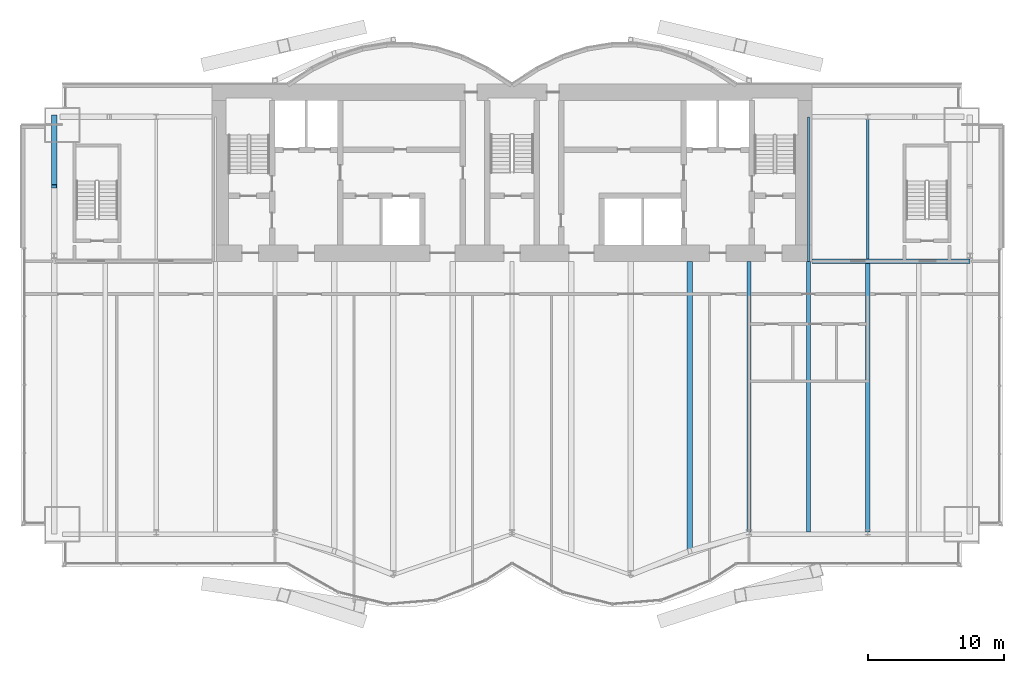
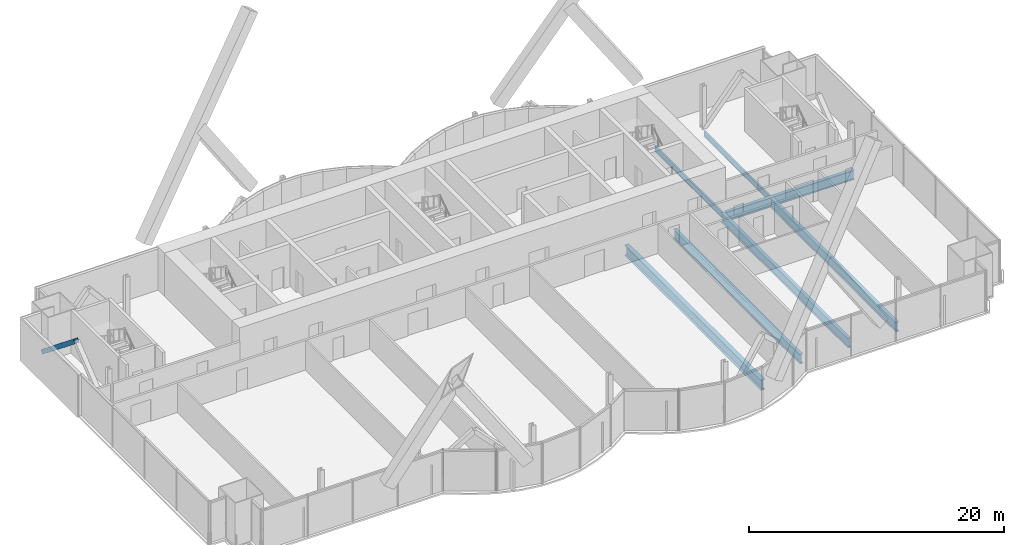
# One storey, part 11 of 23: 7 beams, 1 member.
"""IFC4 building model written with IfcOpenShell, lengths in metres."""

from ifc_helpers import new_model, si_unit, direction, frame, origin, origin_2d, place, context, subcontext, project, spatial, hollow_rectangle, i_section, extrude, material, material_profile, profile_set, type_object, element, save


model = new_model("IFC4")

# Units and contexts
model_context = context("Model", 3, precision=1e-05, world=origin(), true_north=direction((0.0, 1.0)))
body_context = subcontext(model_context, "Body", "Model", "MODEL_VIEW")
ifc_project = project(units=[si_unit("LENGTHUNIT", "METRE"), si_unit("AREAUNIT", "SQUARE_METRE"), si_unit("VOLUMEUNIT", "CUBIC_METRE"), si_unit("PLANEANGLEUNIT", "RADIAN"), si_unit("MASSUNIT", "GRAM", prefix="KILO")], contexts=[model_context])

# Site, building, storey
site_placement = place(None, origin())
site = spatial("IfcSite", under=ifc_project, at=site_placement, CompositionType="ELEMENT")
building_placement = place(site_placement, origin())
building = spatial("IfcBuilding", under=site, at=building_placement, Name="Bicima Exchange Tower", CompositionType="ELEMENT")
storey_placement = place(building_placement, frame((0.0, 0.0, 152.699951171875)))
storey = spatial("IfcBuildingStorey", under=building, at=storey_placement, Name="L33", CompositionType="ELEMENT", Elevation=152.699951171875)

# Beams
ifc_material_1 = material(Name="Steel ASTM A992 Gr 50", Category="steel")
ifc_material_profile_1 = material_profile(ifc_material_1, i_section(OverallWidth=0.3046875, OverallDepth=0.911865234375, WebThickness=0.015869140625, FlangeThickness=0.02392578125, at=origin_2d()))
ifc_profile_set_1 = profile_set([ifc_material_profile_1], Name="Steel ASTM A992 Gr 50")
beam_type_1 = type_object("IfcBeamType", Name="Core-line girder W36x150", PredefinedType="BEAM", material=ifc_profile_set_1)
beam_1_placement = place(storey_placement, frame((22.0, -13.0, -0.60595703125), z_axis=(1.0, 0.0, 0.0), x_axis=(0.0, 1.0, 0.0)))
element("IfcBeam", 1, at=beam_1_placement, inside=storey, type_object=beam_type_1, Name="Core-line girder", PredefinedType="BEAM", context=body_context, shape_type="SweptSolid", body=[
    extrude(i_section(OverallWidth=0.3046875, OverallDepth=0.911865234375, WebThickness=0.015869140625, FlangeThickness=0.02392578125, at=origin_2d()), origin(), (0.0, 0.0, 1.0), 11.60009765625),
])
ifc_material_profile_2 = material_profile(ifc_material_1, i_section(OverallWidth=0.165771484375, OverallDepth=0.5283203125, WebThickness=0.009765625, FlangeThickness=0.013671875, at=origin_2d()))
ifc_profile_set_2 = profile_set([ifc_material_profile_2], Name="Steel ASTM A992 Gr 50")
beam_type_2 = type_object("IfcBeamType", Name="Floor beam W21x50", PredefinedType="JOIST", material=ifc_profile_set_2)
beam_2_placement = place(storey_placement, frame((21.75, -2.39990234375, -0.4140625), z_axis=(0.0, -1.0, 0.0), x_axis=(1.0, 0.0, 0.0)))
element("IfcBeam", 2, at=beam_2_placement, inside=storey, type_object=beam_type_2, Name="Floor beam", PredefinedType="JOIST", context=body_context, shape_type="SweptSolid", body=[
    extrude(i_section(OverallWidth=0.165771484375, OverallDepth=0.5283203125, WebThickness=0.009765625, FlangeThickness=0.013671875, at=origin_2d()), origin(), (0.0, 0.0, 1.0), 10.60009765625),
])
beam_3_placement = place(storey_placement, frame((26.10009765625, -2.5625, -0.4140625), z_axis=(0.0, -1.0, 0.0), x_axis=(1.0, 0.0, 0.0)))
element("IfcBeam", 3, at=beam_3_placement, inside=storey, type_object=beam_type_2, Name="Floor beam", PredefinedType="JOIST", context=body_context, shape_type="SweptSolid", body=[
    extrude(i_section(OverallWidth=0.165771484375, OverallDepth=0.5283203125, WebThickness=0.009765625, FlangeThickness=0.013671875, at=origin_2d()), origin(), (0.0, 0.0, 1.0), 10.28515625),
])
ifc_material_profile_3 = material_profile(ifc_material_1, i_section(OverallWidth=0.3046875, OverallDepth=0.904296875, WebThickness=0.01513671875, FlangeThickness=0.02001953125, at=origin_2d()))
ifc_profile_set_3 = profile_set([ifc_material_profile_3], Name="Steel ASTM A992 Gr 50")
beam_type_3 = type_object("IfcBeamType", Name="Floor beam W36x135", PredefinedType="JOIST", material=ifc_profile_set_3)
beam_4_placement = place(storey_placement, frame((17.39990234375, -13.0, -0.60205078125), z_axis=(0.0, -1.0, 0.0), x_axis=(1.0, 0.0, 0.0)))
element("IfcBeam", 4, at=beam_4_placement, inside=storey, type_object=beam_type_3, Name="Floor beam", PredefinedType="JOIST", context=body_context, shape_type="SweptSolid", body=[
    extrude(i_section(OverallWidth=0.3046875, OverallDepth=0.904296875, WebThickness=0.01513671875, FlangeThickness=0.02001953125, at=origin_2d()), origin(), (0.0, 0.0, 1.0), 19.87646484375),
])
beam_5_placement = place(storey_placement, frame((21.75, -13.0, -0.60205078125), z_axis=(0.0, -1.0, 0.0), x_axis=(1.0, 0.0, 0.0)))
element("IfcBeam", 5, at=beam_5_placement, inside=storey, type_object=beam_type_3, Name="Floor beam", PredefinedType="JOIST", context=body_context, shape_type="SweptSolid", body=[
    extrude(i_section(OverallWidth=0.3046875, OverallDepth=0.904296875, WebThickness=0.01513671875, FlangeThickness=0.02001953125, at=origin_2d()), origin(), (0.0, 0.0, 1.0), 19.849365234375),
])
beam_6_placement = place(storey_placement, frame((26.10009765625, -13.15234375, -0.60205078125), z_axis=(0.0, -1.0, 0.0), x_axis=(1.0, 0.0, 0.0)))
element("IfcBeam", 6, at=beam_6_placement, inside=storey, type_object=beam_type_3, Name="Floor beam", PredefinedType="JOIST", context=body_context, shape_type="SweptSolid", body=[
    extrude(i_section(OverallWidth=0.3046875, OverallDepth=0.904296875, WebThickness=0.01513671875, FlangeThickness=0.02001953125, at=origin_2d()), origin(), (0.0, 0.0, 1.0), 19.697021484375),
])
ifc_material_profile_4 = material_profile(ifc_material_1, i_section(OverallWidth=0.4013671875, OverallDepth=0.990478515625, WebThickness=0.0166015625, FlangeThickness=0.031005859375, at=origin_2d()))
ifc_profile_set_4 = profile_set([ifc_material_profile_4], Name="Steel ASTM A992 Gr 50")
beam_type_4 = type_object("IfcBeamType", Name="Floor beam W40x215", PredefinedType="JOIST", material=ifc_profile_set_4)
beam_7_placement = place(storey_placement, frame((13.050048828125, -13.0, -0.645263671875), z_axis=(0.0, -1.0, 0.0), x_axis=(1.0, 0.0, 0.0)))
element("IfcBeam", 7, at=beam_7_placement, inside=storey, type_object=beam_type_4, Name="Floor beam", PredefinedType="JOIST", context=body_context, shape_type="SweptSolid", body=[
    extrude(i_section(OverallWidth=0.4013671875, OverallDepth=0.990478515625, WebThickness=0.0166015625, FlangeThickness=0.031005859375, at=origin_2d()), origin(), (0.0, 0.0, 1.0), 21.371826171875),
])

# Member
ifc_material_2 = material(Name="Steel ASTM A572 Gr 50", Category="steel")
ifc_material_profile_5 = material_profile(ifc_material_2, hollow_rectangle(XDim=0.406494140625, YDim=0.406494140625, WallThickness=0.017822265625, at=origin_2d()))
ifc_profile_set_5 = profile_set([ifc_material_profile_5], Name="Steel ASTM A572 Gr 50")
member_type = type_object("IfcMemberType", Name="Mega brace HSS16x16x3/4", PredefinedType="BRACE", material=ifc_profile_set_5)
member_placement = place(storey_placement, frame((-33.60009765625, -2.39990234375, -0.49658203125), z_axis=(0.0, -0.779392460608, 0.626536026376), x_axis=(1.0, 0.0, 0.0)))
element("IfcMember", 8, at=member_placement, inside=storey, type_object=member_type, Name="Mega brace west end", PredefinedType="BRACE", context=body_context, shape_type="SweptSolid", body=[
    extrude(hollow_rectangle(XDim=0.406494140625, YDim=0.406494140625, WallThickness=0.017822265625, at=origin_2d()), origin(), (0.0, 0.0, 1.0), 6.543701171875),
])

save(model, "model.ifc")
